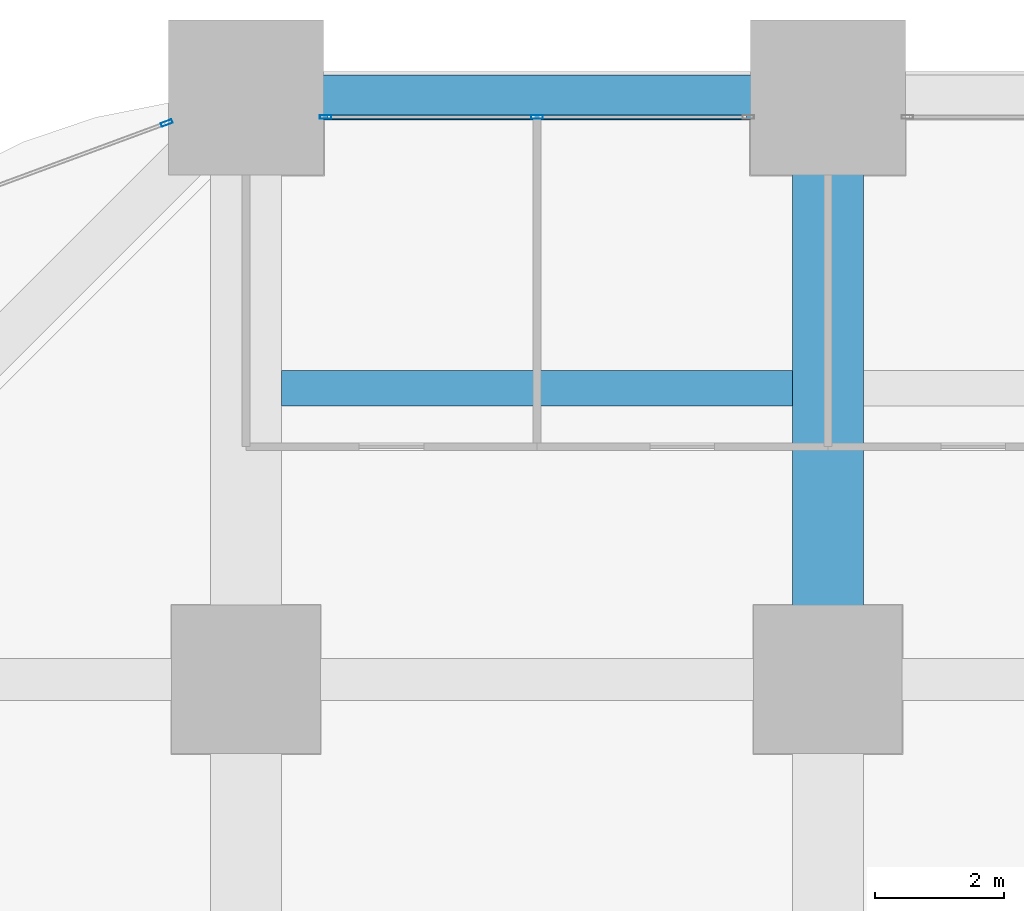
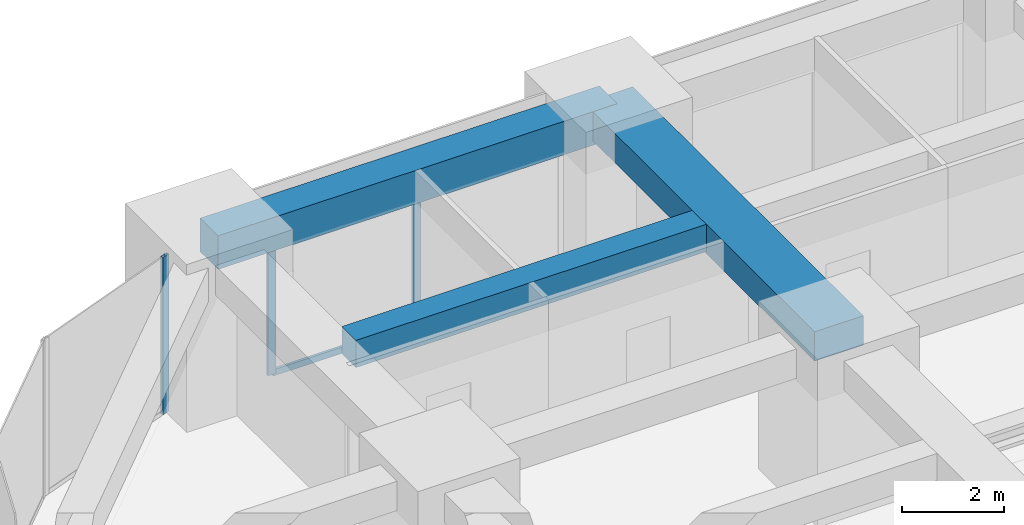
# One storey, part 28 of 44: 4 members, 3 beams, 2 elements without a shape of their own.
"""IFC4 building model written with IfcOpenShell, lengths in metres."""

from ifc_helpers import new_model, si_unit, direction, frame, origin, origin_2d, place, context, subcontext, project, spatial, rectangle, hollow_rectangle, extrude, material, material_profile, profile_set, type_object, element, aggregate, save


model = new_model("IFC4")

# Units and contexts
model_context = context("Model", 3, precision=1e-05, world=origin(), true_north=direction((0.0, 1.0)))
body_context = subcontext(model_context, "Body", "Model", "MODEL_VIEW")
ifc_project = project(units=[si_unit("LENGTHUNIT", "METRE"), si_unit("AREAUNIT", "SQUARE_METRE"), si_unit("VOLUMEUNIT", "CUBIC_METRE"), si_unit("PLANEANGLEUNIT", "RADIAN"), si_unit("MASSUNIT", "GRAM", prefix="KILO")], contexts=[model_context])

# Site, building, storey
site_placement = place(None, origin())
site = spatial("IfcSite", under=ifc_project, at=site_placement, CompositionType="ELEMENT")
building_placement = place(site_placement, origin())
building = spatial("IfcBuilding", under=site, at=building_placement, Name="Zorevar Civic Tower", CompositionType="ELEMENT")
storey_placement = place(building_placement, frame((0.0, 0.0, 43.800048828125)))
storey = spatial("IfcBuildingStorey", under=building, at=storey_placement, Name="L10", CompositionType="ELEMENT", Elevation=43.800048828125)

# Beams
ifc_material_1 = material(Name="Concrete C50/60", Category="concrete")
ifc_material_profile_1 = material_profile(ifc_material_1, rectangle(XDim=1.10009765625, YDim=0.699951171875, at=origin_2d()), Name="RC 1100x700")
ifc_profile_set_1 = profile_set([ifc_material_profile_1], Name="Concrete C50/60")
beam_type_1 = type_object("IfcBeamType", Name="Beam RC 1100x700", PredefinedType="BEAM", material=ifc_profile_set_1)
beam_1_placement = place(storey_placement, frame((18.0, 45.0, 3.39990234375), z_axis=(0.0, 1.0, 0.0), x_axis=(-1.0, 0.0, 0.0)))
element("IfcBeam", 1, at=beam_1_placement, inside=storey, type_object=beam_type_1, Name="Girder L11", PredefinedType="BEAM", context=body_context, shape_type="SweptSolid", body=[
    extrude(rectangle(XDim=1.10009765625, YDim=0.699951171875, at=origin_2d()), origin(), (0.0, 0.0, 1.0), 9.0),
])
ifc_material_2 = material(Name="Concrete C50/60", Category="concrete")
ifc_material_profile_2 = material_profile(ifc_material_2, rectangle(XDim=0.550048828125, YDim=0.64990234375, at=origin_2d()), Name="RC 550x650")
ifc_profile_set_2 = profile_set([ifc_material_profile_2], Name="Concrete C50/60")
beam_type_2 = type_object("IfcBeamType", Name="Beam RC 550x650", PredefinedType="BEAM", material=ifc_profile_set_2)
beam_2_placement = place(storey_placement, frame((9.550048828125, 49.5, 3.425048828125), z_axis=(1.0, 0.0, 0.0), x_axis=(0.0, 1.0, 0.0)))
element("IfcBeam", 2, at=beam_2_placement, inside=storey, type_object=beam_type_2, Name="Secondary beam L11", PredefinedType="BEAM", context=body_context, shape_type="SweptSolid", body=[
    extrude(rectangle(XDim=0.550048828125, YDim=0.64990234375, at=origin_2d()), origin(), (0.0, 0.0, 1.0), 7.89990234375),
])

# Curtain wall, members
ifc_material_3 = material(Name="Dark grey solar-control glass in black aluminium frame", Category="aluminium")
curtain_wall_type = type_object("IfcCurtainWallType", Name="Curtain wall CW2 low zone", PredefinedType="NOTDEFINED", material=ifc_material_3)
curtain_wall_1_placement = place(storey_placement, origin())
curtain_wall_1 = element("IfcCurtainWall", 3, at=curtain_wall_1_placement, inside=storey, type_object=curtain_wall_type, Name="CW2 L10", PredefinedType="NOTDEFINED")
ifc_material_4 = material(Name="Aluminium, black anodised", Category="aluminium")
ifc_material_profile_3 = material_profile(ifc_material_4, hollow_rectangle(XDim=0.06005859375, YDim=0.179931640625, WallThickness=0.00390625, at=origin_2d()), Name="AL 180x60x4")
ifc_profile_set_3 = profile_set([ifc_material_profile_3], Name="Aluminium, black anodised")
member_type_1 = type_object("IfcMemberType", Name="CW2 mullion AL 180x60x4", PredefinedType="MULLION", material=ifc_profile_set_3)
member_1_placement = place(storey_placement, frame((10.22998046875, 53.699951171875, 0.0), z_axis=(0.0, 0.0, 1.0), x_axis=(0.0, 1.0, 0.0)))
member_1 = element("IfcMember", 4, at=member_1_placement, type_object=member_type_1, Name="CW2 mullion 1", PredefinedType="MULLION", context=body_context, shape_type="SweptSolid", body=[
    extrude(hollow_rectangle(XDim=0.06005859375, YDim=0.179931640625, WallThickness=0.00390625, at=origin_2d()), origin(), (0.0, 0.0, 1.0), 2.949951171875),
])
member_2_placement = place(storey_placement, frame((13.5, 53.699951171875, 0.06005859375), z_axis=(0.0, 0.0, 1.0), x_axis=(0.0, 1.0, 0.0)))
member_2 = element("IfcMember", 5, at=member_2_placement, type_object=member_type_1, Name="CW2 mullion 2", PredefinedType="MULLION", context=body_context, shape_type="SweptSolid", body=[
    extrude(hollow_rectangle(XDim=0.06005859375, YDim=0.179931640625, WallThickness=0.00390625, at=origin_2d()), origin(), (0.0, 0.0, 1.0), 2.889892578125),
])

# Curtain wall, member
curtain_wall_2_placement = place(storey_placement, origin())
curtain_wall_2 = element("IfcCurtainWall", 6, at=curtain_wall_2_placement, inside=storey, type_object=curtain_wall_type, Name="CW2 L10", PredefinedType="NOTDEFINED")
member_3_placement = place(storey_placement, frame((7.77197265625, 53.6064453125, 0.0), z_axis=(0.0, 0.0, 1.0), x_axis=(0.346704012033, -0.937974588163, 0.0)))
member_3 = element("IfcMember", 7, at=member_3_placement, type_object=member_type_1, Name="CW2 mullion 1", PredefinedType="MULLION", context=body_context, shape_type="SweptSolid", body=[
    extrude(hollow_rectangle(XDim=0.06005859375, YDim=0.179931640625, WallThickness=0.00390625, at=origin_2d()), origin(), (0.0, 0.0, 1.0), 3.75),
])
aggregate(curtain_wall_2, [member_3])

# Member
ifc_material_5 = material(Name="Aluminium, black anodised", Category="aluminium")
ifc_material_profile_4 = material_profile(ifc_material_5, hollow_rectangle(XDim=0.06005859375, YDim=0.14990234375, WallThickness=0.00390625, at=origin_2d()), Name="AL 150x60x4")
ifc_profile_set_4 = profile_set([ifc_material_profile_4], Name="Aluminium, black anodised")
member_type_2 = type_object("IfcMemberType", Name="CW2 transom AL 150x60x4", PredefinedType="USERDEFINED", material=ifc_profile_set_4)
member_4_placement = place(storey_placement, frame((10.260009765625, 53.699951171875, 0.030029296875), z_axis=(1.0, 0.0, 0.0), x_axis=(0.0, 1.0, 0.0)))
member_4 = element("IfcMember", 8, at=member_4_placement, type_object=member_type_2, Name="CW2 sill transom", ObjectType="TRANSOM", PredefinedType="USERDEFINED", context=body_context, shape_type="SweptSolid", body=[
    extrude(hollow_rectangle(XDim=0.06005859375, YDim=0.14990234375, WallThickness=0.00390625, at=origin_2d()), origin(), (0.0, 0.0, 1.0), 6.47998046875),
])

aggregate(curtain_wall_1, [member_1, member_2, member_4])

# Beam
ifc_material_6 = material(Name="Concrete C50/60", Category="concrete")
ifc_material_profile_5 = material_profile(ifc_material_6, rectangle(XDim=0.699951171875, YDim=0.800048828125, at=origin_2d()), Name="RC 700x800")
ifc_profile_set_5 = profile_set([ifc_material_profile_5], Name="Concrete C50/60")
beam_type_3 = type_object("IfcBeamType", Name="Edge beam RC 700x800", PredefinedType="SPANDREL", material=ifc_profile_set_5)
beam_3_placement = place(storey_placement, frame((9.0, 54.0, 3.349853515625), z_axis=(1.0, 0.0, 0.0), x_axis=(0.0, 1.0, 0.0)))
element("IfcBeam", 9, at=beam_3_placement, inside=storey, type_object=beam_type_3, Name="Edge beam L11", PredefinedType="SPANDREL", context=body_context, shape_type="SweptSolid", body=[
    extrude(rectangle(XDim=0.699951171875, YDim=0.800048828125, at=origin_2d()), origin(), (0.0, 0.0, 1.0), 9.0),
])

save(model, "model.ifc")
